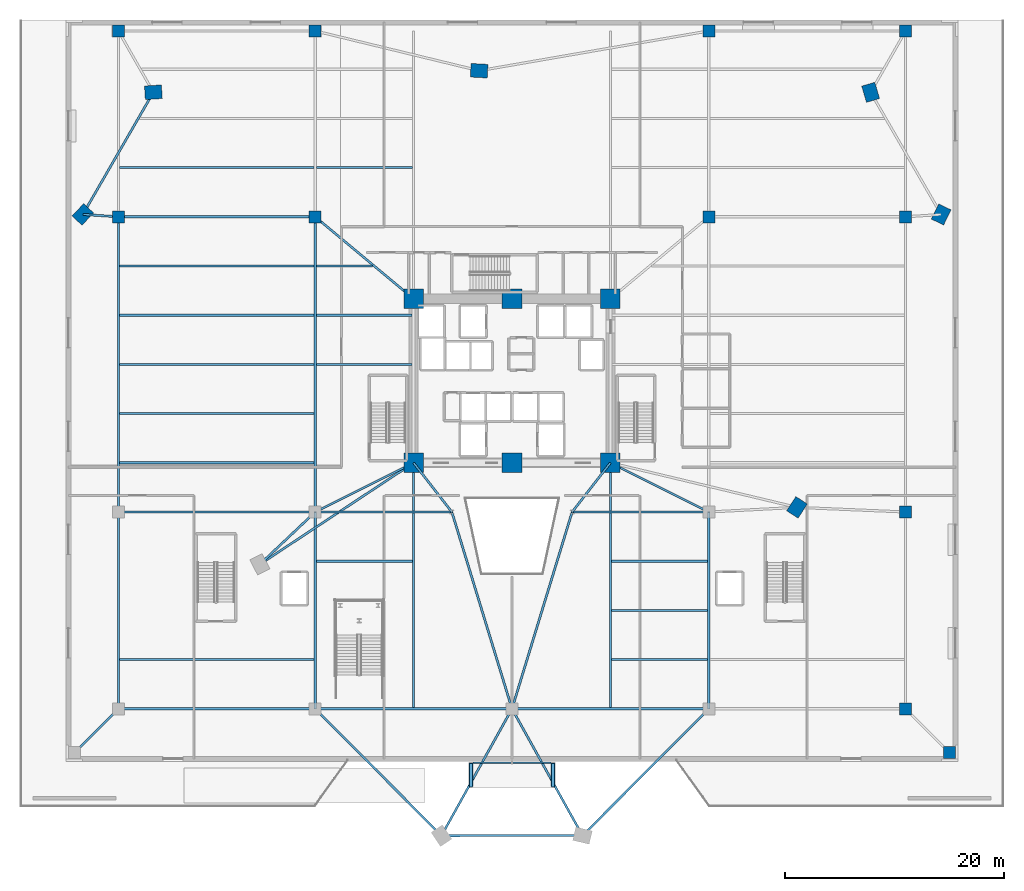
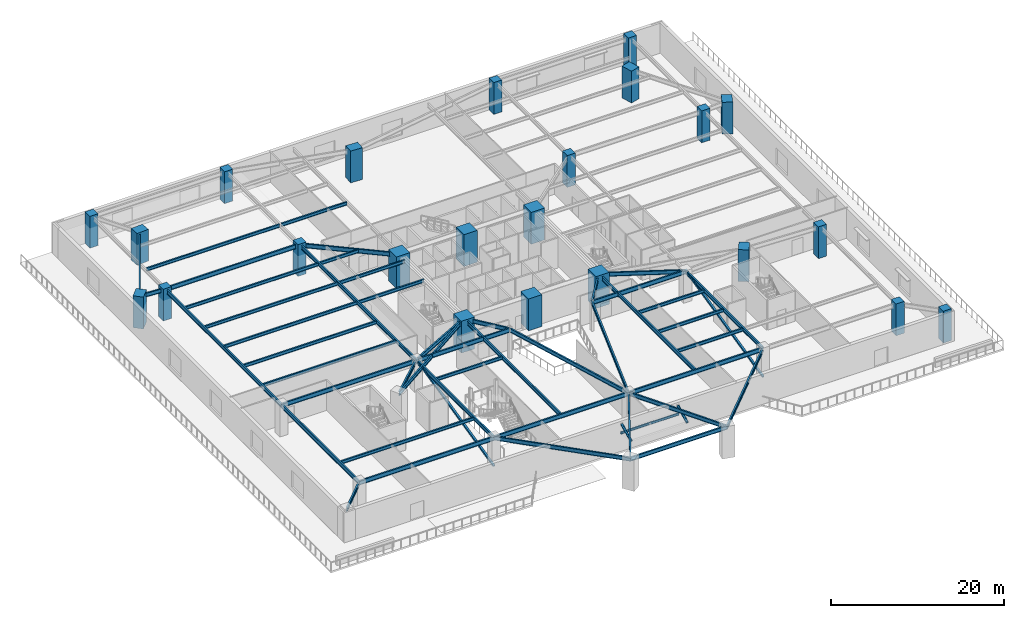
# One storey, part 3 of 19: 47 beams, 23 columns, 4 members.
"""IFC4 building model written with IfcOpenShell, lengths in metres."""

from ifc_helpers import new_model, si_unit, direction, frame, origin, origin_2d, place, context, subcontext, project, spatial, rectangle, hollow_rectangle, hollow_circle, i_section, extrude, source, transform, mapped, material, material_profile, profile_set, type_object, element, save


model = new_model("IFC4")

# Units and contexts
model_context = context("Model", 3, precision=1e-05, world=origin(), true_north=direction((0.0, 1.0)))
body_context = subcontext(model_context, "Body", "Model", "MODEL_VIEW")
ifc_project = project(units=[si_unit("LENGTHUNIT", "METRE"), si_unit("AREAUNIT", "SQUARE_METRE"), si_unit("VOLUMEUNIT", "CUBIC_METRE"), si_unit("PLANEANGLEUNIT", "RADIAN"), si_unit("MASSUNIT", "GRAM", prefix="KILO")], contexts=[model_context])

# Site, building, storey
site_placement = place(None, origin())
site = spatial("IfcSite", under=ifc_project, at=site_placement, CompositionType="ELEMENT")
building_placement = place(site_placement, origin())
building = spatial("IfcBuilding", under=site, at=building_placement, Name="Liaohun Quay Tower", CompositionType="ELEMENT")
storey_placement = place(building_placement, frame((0.0, 0.0, 9.89990234375)))
storey = spatial("IfcBuildingStorey", under=building, at=storey_placement, Name="L03", CompositionType="ELEMENT", Elevation=9.89990234375)

# Columns
ifc_material_1 = material(Name="Concrete C60", Category="concrete")
ifc_material_profile_1 = material_profile(ifc_material_1, rectangle(XDim=1.800048828125, YDim=1.800048828125, at=origin_2d()), Name="RC1800x1800")
ifc_profile_set_1 = profile_set([ifc_material_profile_1], Name="Concrete C60")
column_type_1 = type_object("IfcColumnType", Name="COL-CC-B", PredefinedType="COLUMN", material=ifc_profile_set_1)
shared_shape_1 = source(origin(), body_context, "Body", "SweptSolid", [
    extrude(rectangle(XDim=1.800048828125, YDim=1.800048828125, at=origin_2d()), origin(), (0.0, 0.0, 1.0), 4.5),
])
for number, where, z_axis, x_axis, name in (
    (1, (51.0, 46.5, 0.0), (0.0, 0.0, 1.0), (1.0, 0.0, 0.0), "L03 Core Column CC1"),
    (2, (60.0, 46.5, 0.0), (0.0, 0.0, 1.0), (1.0, 0.0, 0.0), "L03 Core Column CC2"),
    (3, (69.0, 46.5, 0.0), (0.0, 0.0, 1.0), (1.0, 0.0, 0.0), "L03 Core Column CC3"),
    (4, (69.0, 61.5, 0.0), (0.0, 0.0, 1.0), (1.0, 0.0, 0.0), "L03 Core Column CC4"),
    (5, (60.0, 61.5, 0.0), (0.0, 0.0, 1.0), (1.0, 0.0, 0.0), "L03 Core Column CC5"),
    (6, (51.0, 61.5, 0.0), (0.0, 0.0, 1.0), (1.0, 0.0, 0.0), "L03 Core Column CC6"),
):
    element("IfcColumn", number, at=place(storey_placement, frame(where, z_axis=z_axis, x_axis=x_axis)), inside=storey, type_object=column_type_1, Name=name, PredefinedType="COLUMN", context=body_context, shape_type="MappedRepresentation", body=[
        mapped(shared_shape_1, transform((0.0, 0.0, 0.0), x_axis=(1.0, 0.0, 0.0), y_axis=(0.0, 1.0, 0.0), z_axis=(0.0, 0.0, 1.0), scale=1.0)),
    ])
ifc_material_profile_2 = material_profile(ifc_material_1, rectangle(XDim=1.550048828125, YDim=1.25, at=origin_2d()), Name="RC1550x1250")
ifc_profile_set_2 = profile_set([ifc_material_profile_2], Name="Concrete C60")
column_type_2 = type_object("IfcColumnType", Name="COL-PIER-Z1", PredefinedType="COLUMN", material=ifc_profile_set_2)
shared_shape_2 = source(origin(), body_context, "Body", "SweptSolid", [
    extrude(rectangle(XDim=1.550048828125, YDim=1.25, at=origin_2d()), origin(), (0.0, 0.0, 1.0), 4.5),
])
for number, where, z_axis, x_axis, name in (
    (7, (20.748046875, 69.217041015625, 0.0), (0.0, 0.0, 1.0), (0.68936671806, 0.724412539946, 0.0), "L03 Tower Mega-Pier PC03"),
    (8, (27.198974609375, 80.39111328125, 0.0), (0.0, 0.0, 1.0), (0.997824541457, 0.065925597951, 0.0), "L03 Tower Mega-Pier PC05"),
    (9, (92.802978515625, 80.384033203125, 0.0), (0.0, 0.0, 1.0), (-0.282676303383, 0.959215360337, 0.0), "L03 Tower Mega-Pier PC07"),
    (10, (99.256103515625, 69.2119140625, 0.0), (0.0, 0.0, 1.0), (0.441819028143, 0.897104200397, 0.0), "L03 Tower Mega-Pier PC09"),
    (11, (56.9951171875, 82.360107421875, 0.0), (0.0, 0.0, 1.0), (-0.998479491627, 0.055124448298, 0.0), "L03 Tower Mega-Pier PC06"),
    (12, (86.06396484375, 42.423095703125, 0.0), (0.0, 0.0, 1.0), (0.546978918409, 0.837146380758, 0.0), "L03 Tower Mega-Pier PC10"),
):
    element("IfcColumn", number, at=place(storey_placement, frame(where, z_axis=z_axis, x_axis=x_axis)), inside=storey, type_object=column_type_2, Name=name, PredefinedType="COLUMN", context=body_context, shape_type="MappedRepresentation", body=[
        mapped(shared_shape_2, transform((0.0, 0.0, 0.0), x_axis=(1.0, 0.0, 0.0), y_axis=(0.0, 1.0, 0.0), z_axis=(0.0, 0.0, 1.0), scale=1.0)),
    ])
ifc_material_2 = material(Name="Concrete C55", Category="concrete")
ifc_material_profile_3 = material_profile(ifc_material_2, rectangle(XDim=1.10009765625, YDim=1.10009765625, at=origin_2d()), Name="RC1100x1100")
ifc_profile_set_3 = profile_set([ifc_material_profile_3], Name="Concrete C55")
column_type_3 = type_object("IfcColumnType", Name="COL-POD-P", PredefinedType="COLUMN", material=ifc_profile_set_3)
shared_shape_3 = source(origin(), body_context, "Body", "SweptSolid", [
    extrude(rectangle(XDim=1.10009765625, YDim=1.10009765625, at=origin_2d()), origin(), (0.0, 0.0, 1.0), 4.5),
])
for number, where, z_axis, x_axis, name in (
    (13, (96.0, 24.0, 0.0), (0.0, 0.0, 1.0), (1.0, 0.0, 0.0), "L03 Podium Column PG05"),
    (14, (96.0, 42.0, 0.0), (0.0, 0.0, 1.0), (1.0, 0.0, 0.0), "L03 Podium Column PG09"),
    (15, (24.0, 69.0, 0.0), (0.0, 0.0, 1.0), (1.0, 0.0, 0.0), "L03 Podium Column PG10"),
    (16, (42.0, 69.0, 0.0), (0.0, 0.0, 1.0), (1.0, 0.0, 0.0), "L03 Podium Column PG11"),
    (17, (78.0, 69.0, 0.0), (0.0, 0.0, 1.0), (1.0, 0.0, 0.0), "L03 Podium Column PG12"),
    (18, (96.0, 69.0, 0.0), (0.0, 0.0, 1.0), (1.0, 0.0, 0.0), "L03 Podium Column PG13"),
    (19, (24.0, 86.0, 0.0), (0.0, 0.0, 1.0), (1.0, 0.0, 0.0), "L03 Podium Column PG14"),
    (20, (42.0, 86.0, 0.0), (0.0, 0.0, 1.0), (1.0, 0.0, 0.0), "L03 Podium Column PG15"),
    (21, (78.0, 86.0, 0.0), (0.0, 0.0, 1.0), (1.0, 0.0, 0.0), "L03 Podium Column PG17"),
    (22, (96.0, 86.0, 0.0), (0.0, 0.0, 1.0), (1.0, 0.0, 0.0), "L03 Podium Column PG18"),
    (23, (100.0, 20.0, 0.0), (0.0, 0.0, 1.0), (1.0, 0.0, 0.0), "L03 Podium Column PT06"),
):
    element("IfcColumn", number, at=place(storey_placement, frame(where, z_axis=z_axis, x_axis=x_axis)), inside=storey, type_object=column_type_3, Name=name, PredefinedType="COLUMN", context=body_context, shape_type="MappedRepresentation", body=[
        mapped(shared_shape_3, transform((0.0, 0.0, 0.0), x_axis=(1.0, 0.0, 0.0), y_axis=(0.0, 1.0, 0.0), z_axis=(0.0, 0.0, 1.0), scale=1.0)),
    ])

# Beams
ifc_material_3 = material(Name="Steel Q355D", Category="steel")
ifc_material_profile_4 = material_profile(ifc_material_3, i_section(OverallWidth=0.199951171875, OverallDepth=0.449951171875, WebThickness=0.009033203125, FlangeThickness=0.013916015625, at=origin_2d()), Name="HN450x200x9x14")
ifc_profile_set_4 = profile_set([ifc_material_profile_4], Name="Steel Q355D")
beam_type_1 = type_object("IfcBeamType", Name="BM-SEC-J1", PredefinedType="JOIST", material=ifc_profile_set_4)
shared_shape_4 = source(origin(), body_context, "Body", "SweptSolid", [
    extrude(i_section(OverallWidth=0.199951171875, OverallDepth=0.449951171875, WebThickness=0.009033203125, FlangeThickness=0.013916015625, at=origin_2d()), origin(), (0.0, 0.0, 1.0), 8.7998046875),
])
for number, where, z_axis, x_axis, name in (
    (24, (42.10009765625, 37.5, 4.025146484375), (1.0, 0.0, 0.0), (0.0, 1.0, 0.0), "L03 Composite Floor Joist SJ-14"),
    (25, (42.10009765625, 73.5, 4.025146484375), (1.0, 0.0, 0.0), (0.0, 1.0, 0.0), "L03 Composite Floor Joist SJ-20"),
    (26, (69.10009765625, 28.5, 4.025146484375), (1.0, 0.0, 0.0), (0.0, 1.0, 0.0), "L03 Composite Floor Joist SJ-23"),
    (27, (69.10009765625, 33.0, 4.025146484375), (1.0, 0.0, 0.0), (0.0, 1.0, 0.0), "L03 Composite Floor Joist SJ-24"),
    (28, (69.10009765625, 37.5, 4.025146484375), (1.0, 0.0, 0.0), (0.0, 1.0, 0.0), "L03 Composite Floor Joist SJ-25"),
):
    element("IfcBeam", number, at=place(storey_placement, frame(where, z_axis=z_axis, x_axis=x_axis)), inside=storey, type_object=beam_type_1, Name=name, PredefinedType="JOIST", context=body_context, shape_type="MappedRepresentation", body=[
        mapped(shared_shape_4, transform((0.0, 0.0, 0.0), x_axis=(1.0, 0.0, 0.0), y_axis=(0.0, 1.0, 0.0), z_axis=(0.0, 0.0, 1.0), scale=1.0)),
    ])
shared_shape_5 = source(origin(), body_context, "Body", "SweptSolid", [
    extrude(i_section(OverallWidth=0.199951171875, OverallDepth=0.449951171875, WebThickness=0.009033203125, FlangeThickness=0.013916015625, at=origin_2d()), origin(), (0.0, 0.0, 1.0), 17.7998046875),
])
for number, where, z_axis, x_axis, name in (
    (29, (24.10009765625, 28.5, 4.025146484375), (1.0, 0.0, 0.0), (0.0, 1.0, 0.0), "L03 Composite Floor Joist SJ-01"),
    (30, (24.10009765625, 46.5, 4.025146484375), (1.0, 0.0, 0.0), (0.0, 1.0, 0.0), "L03 Composite Floor Joist SJ-04"),
    (31, (24.10009765625, 51.0, 4.025146484375), (1.0, 0.0, 0.0), (0.0, 1.0, 0.0), "L03 Composite Floor Joist SJ-05"),
    (32, (24.10009765625, 55.5, 4.025146484375), (1.0, 0.0, 0.0), (0.0, 1.0, 0.0), "L03 Composite Floor Joist SJ-06"),
    (33, (24.10009765625, 60.0, 4.025146484375), (1.0, 0.0, 0.0), (0.0, 1.0, 0.0), "L03 Composite Floor Joist SJ-07"),
    (34, (24.10009765625, 64.5, 4.025146484375), (1.0, 0.0, 0.0), (0.0, 1.0, 0.0), "L03 Composite Floor Joist SJ-08"),
    (35, (24.10009765625, 73.5, 4.025146484375), (1.0, 0.0, 0.0), (0.0, 1.0, 0.0), "L03 Composite Floor Joist SJ-09"),
):
    element("IfcBeam", number, at=place(storey_placement, frame(where, z_axis=z_axis, x_axis=x_axis)), inside=storey, type_object=beam_type_1, Name=name, PredefinedType="JOIST", context=body_context, shape_type="MappedRepresentation", body=[
        mapped(shared_shape_5, transform((0.0, 0.0, 0.0), x_axis=(1.0, 0.0, 0.0), y_axis=(0.0, 1.0, 0.0), z_axis=(0.0, 0.0, 1.0), scale=1.0)),
    ])
shared_shape_6 = source(origin(), body_context, "Body", "SweptSolid", [
    extrude(i_section(OverallWidth=0.199951171875, OverallDepth=0.449951171875, WebThickness=0.009033203125, FlangeThickness=0.013916015625, at=origin_2d()), origin(), (0.0, 0.0, 1.0), 8.75),
])
for number, where, z_axis, x_axis, name in (
    (36, (42.10009765625, 55.5, 4.025146484375), (1.0, 0.0, 0.0), (0.0, 1.0, 0.0), "L03 Composite Floor Joist SJ-17"),
    (37, (42.10009765625, 60.0, 4.025146484375), (1.0, 0.0, 0.0), (0.0, 1.0, 0.0), "L03 Composite Floor Joist SJ-18"),
):
    element("IfcBeam", number, at=place(storey_placement, frame(where, z_axis=z_axis, x_axis=x_axis)), inside=storey, type_object=beam_type_1, Name=name, PredefinedType="JOIST", context=body_context, shape_type="MappedRepresentation", body=[
        mapped(shared_shape_6, transform((0.0, 0.0, 0.0), x_axis=(1.0, 0.0, 0.0), y_axis=(0.0, 1.0, 0.0), z_axis=(0.0, 0.0, 1.0), scale=1.0)),
    ])
ifc_material_profile_5 = material_profile(ifc_material_3, i_section(OverallWidth=0.199951171875, OverallDepth=0.60009765625, WebThickness=0.010986328125, FlangeThickness=0.01708984375, at=origin_2d()), Name="HN600x200x11x17")
ifc_profile_set_5 = profile_set([ifc_material_profile_5], Name="Steel Q355D")
beam_type_2 = type_object("IfcBeamType", Name="BM-POD-G1", PredefinedType="BEAM", material=ifc_profile_set_5)
shared_shape_7 = source(origin(), body_context, "Body", "SweptSolid", [
    extrude(i_section(OverallWidth=0.199951171875, OverallDepth=0.60009765625, WebThickness=0.010986328125, FlangeThickness=0.01708984375, at=origin_2d()), origin(), (0.0, 0.0, 1.0), 18.0),
])
for number, where, z_axis, x_axis, name in (
    (38, (24.0, 24.0, 3.9501953125), (1.0, 0.0, 0.0), (0.0, 1.0, 0.0), "L03 Primary Grid Girder PG01-PG02"),
    (39, (42.0, 24.0, 3.9501953125), (1.0, 0.0, 0.0), (0.0, 1.0, 0.0), "L03 Primary Grid Girder PG02-PG03"),
    (40, (60.0, 24.0, 3.9501953125), (1.0, 0.0, 0.0), (0.0, 1.0, 0.0), "L03 Primary Grid Girder PG03-PG04"),
    (41, (24.0, 42.0, 3.9501953125), (1.0, 0.0, 0.0), (0.0, 1.0, 0.0), "L03 Primary Grid Girder PG06-PG07"),
    (42, (24.0, 69.0, 3.9501953125), (1.0, 0.0, 0.0), (0.0, 1.0, 0.0), "L03 Primary Grid Girder PG10-PG11"),
    (43, (24.0, 24.0, 3.9501953125), (0.0, 1.0, 0.0), (-1.0, 0.0, 0.0), "L03 Primary Grid Girder PG01-PG06"),
):
    element("IfcBeam", number, at=place(storey_placement, frame(where, z_axis=z_axis, x_axis=x_axis)), inside=storey, type_object=beam_type_2, Name=name, PredefinedType="BEAM", context=body_context, shape_type="MappedRepresentation", body=[
        mapped(shared_shape_7, transform((0.0, 0.0, 0.0), x_axis=(1.0, 0.0, 0.0), y_axis=(0.0, 1.0, 0.0), z_axis=(0.0, 0.0, 1.0), scale=1.0)),
    ])
shared_shape_8 = source(origin(), body_context, "Body", "SweptSolid", [
    extrude(i_section(OverallWidth=0.199951171875, OverallDepth=0.60009765625, WebThickness=0.010986328125, FlangeThickness=0.01708984375, at=origin_2d()), origin(), (0.0, 0.0, 1.0), 12.5),
])
for number, where, z_axis, x_axis, name in (
    (44, (42.0, 42.0, 3.9501953125), (1.0, 0.0, 0.0), (0.0, 1.0, 0.0), "L03 Primary Grid Girder PG07-AT1"),
    (45, (65.5, 42.0, 3.9501953125), (1.0, 0.0, 0.0), (0.0, 1.0, 0.0), "L03 Primary Grid Girder AT2-PG08"),
):
    element("IfcBeam", number, at=place(storey_placement, frame(where, z_axis=z_axis, x_axis=x_axis)), inside=storey, type_object=beam_type_2, Name=name, PredefinedType="BEAM", context=body_context, shape_type="MappedRepresentation", body=[
        mapped(shared_shape_8, transform((0.0, 0.0, 0.0), x_axis=(1.0, 0.0, 0.0), y_axis=(0.0, 1.0, 0.0), z_axis=(0.0, 0.0, 1.0), scale=1.0)),
    ])
shared_shape_9 = source(origin(), body_context, "Body", "SweptSolid", [
    extrude(i_section(OverallWidth=0.199951171875, OverallDepth=0.60009765625, WebThickness=0.010986328125, FlangeThickness=0.01708984375, at=origin_2d()), origin(), (0.0, 0.0, 1.0), 11.71533203125),
])
beam_1_placement = place(storey_placement, frame((42.0, 69.0, 3.9501953125), z_axis=(0.768221279597, -0.640184399664, 0.0), x_axis=(0.640184399664, 0.768221279597, 0.0)))
element("IfcBeam", 46, at=beam_1_placement, inside=storey, type_object=beam_type_2, Name="L03 Primary Grid Girder PG11-CC6", PredefinedType="BEAM", context=body_context, shape_type="MappedRepresentation", body=[
    mapped(shared_shape_9, transform((0.0, 0.0, 0.0), x_axis=(1.0, 0.0, 0.0), y_axis=(0.0, 1.0, 0.0), z_axis=(0.0, 0.0, 1.0), scale=1.0)),
])
ifc_material_profile_6 = material_profile(ifc_material_3, i_section(OverallWidth=0.199951171875, OverallDepth=0.550048828125, WebThickness=0.010009765625, FlangeThickness=0.01611328125, at=origin_2d()), Name="HN550x200x10x16")
ifc_profile_set_6 = profile_set([ifc_material_profile_6], Name="Steel Q355D")
beam_type_3 = type_object("IfcBeamType", Name="BM-POD-G2", PredefinedType="BEAM", material=ifc_profile_set_6)
shared_shape_10 = source(origin(), body_context, "Body", "SweptSolid", [
    extrude(i_section(OverallWidth=0.199951171875, OverallDepth=0.550048828125, WebThickness=0.010009765625, FlangeThickness=0.01611328125, at=origin_2d()), origin(), (0.0, 0.0, 1.0), 27.0),
])
for number, where, z_axis, x_axis, name in (
    (47, (24.0, 42.0, 3.97509765625), (0.0, 1.0, 0.0), (-1.0, 0.0, 0.0), "L03 Primary Grid Girder PG06-PG10"),
    (48, (42.0, 42.0, 3.97509765625), (0.0, 1.0, 0.0), (-1.0, 0.0, 0.0), "L03 Primary Grid Girder PG07-PG11"),
):
    element("IfcBeam", number, at=place(storey_placement, frame(where, z_axis=z_axis, x_axis=x_axis)), inside=storey, type_object=beam_type_3, Name=name, PredefinedType="BEAM", context=body_context, shape_type="MappedRepresentation", body=[
        mapped(shared_shape_10, transform((0.0, 0.0, 0.0), x_axis=(1.0, 0.0, 0.0), y_axis=(0.0, 1.0, 0.0), z_axis=(0.0, 0.0, 1.0), scale=1.0)),
    ])
shared_shape_11 = source(origin(), body_context, "Body", "SweptSolid", [
    extrude(i_section(OverallWidth=0.199951171875, OverallDepth=0.550048828125, WebThickness=0.010009765625, FlangeThickness=0.01611328125, at=origin_2d()), origin(), (0.0, 0.0, 1.0), 18.0),
])
for number, where, z_axis, x_axis, name in (
    (49, (42.0, 24.0, 3.97509765625), (0.0, 1.0, 0.0), (-1.0, 0.0, 0.0), "L03 Primary Grid Girder PG02-PG07"),
    (50, (78.0, 24.0, 3.97509765625), (0.0, 1.0, 0.0), (-1.0, 0.0, 0.0), "L03 Primary Grid Girder PG04-PG08"),
):
    element("IfcBeam", number, at=place(storey_placement, frame(where, z_axis=z_axis, x_axis=x_axis)), inside=storey, type_object=beam_type_3, Name=name, PredefinedType="BEAM", context=body_context, shape_type="MappedRepresentation", body=[
        mapped(shared_shape_11, transform((0.0, 0.0, 0.0), x_axis=(1.0, 0.0, 0.0), y_axis=(0.0, 1.0, 0.0), z_axis=(0.0, 0.0, 1.0), scale=1.0)),
    ])
shared_shape_12 = source(origin(), body_context, "Body", "SweptSolid", [
    extrude(i_section(OverallWidth=0.199951171875, OverallDepth=0.550048828125, WebThickness=0.010009765625, FlangeThickness=0.01611328125, at=origin_2d()), origin(), (0.0, 0.0, 1.0), 10.062255859375),
])
for number, where, z_axis, x_axis, name in (
    (51, (42.0, 42.0, 3.97509765625), (0.894427191, 0.4472135955, 0.0), (-0.4472135955, 0.894427191, 0.0), "L03 Primary Grid Girder PG07-CC1"),
    (52, (78.0, 42.0, 3.97509765625), (-0.894427191, 0.4472135955, 0.0), (-0.4472135955, -0.894427191, 0.0), "L03 Primary Grid Girder PG08-CC3"),
):
    element("IfcBeam", number, at=place(storey_placement, frame(where, z_axis=z_axis, x_axis=x_axis)), inside=storey, type_object=beam_type_3, Name=name, PredefinedType="BEAM", context=body_context, shape_type="MappedRepresentation", body=[
        mapped(shared_shape_12, transform((0.0, 0.0, 0.0), x_axis=(1.0, 0.0, 0.0), y_axis=(0.0, 1.0, 0.0), z_axis=(0.0, 0.0, 1.0), scale=1.0)),
    ])
shared_shape_13 = source(origin(), body_context, "Body", "SweptSolid", [
    extrude(i_section(OverallWidth=0.199951171875, OverallDepth=0.550048828125, WebThickness=0.010009765625, FlangeThickness=0.01611328125, at=origin_2d()), origin(), (0.0, 0.0, 1.0), 18.821533203125),
])
for number, where, z_axis, x_axis, name in (
    (53, (60.0, 24.0, 3.97509765625), (-0.292218535599, 0.956351571051, 0.0), (-0.956351571051, -0.292218535599, 0.0), "L03 Primary Grid Girder PG03-AT1"),
    (54, (60.0, 24.0, 3.97509765625), (0.292218535599, 0.956351571051, 0.0), (-0.956351571051, 0.292218535599, 0.0), "L03 Primary Grid Girder PG03-AT2"),
):
    element("IfcBeam", number, at=place(storey_placement, frame(where, z_axis=z_axis, x_axis=x_axis)), inside=storey, type_object=beam_type_3, Name=name, PredefinedType="BEAM", context=body_context, shape_type="MappedRepresentation", body=[
        mapped(shared_shape_13, transform((0.0, 0.0, 0.0), x_axis=(1.0, 0.0, 0.0), y_axis=(0.0, 1.0, 0.0), z_axis=(0.0, 0.0, 1.0), scale=1.0)),
    ])
shared_shape_14 = source(origin(), body_context, "Body", "SweptSolid", [
    extrude(i_section(OverallWidth=0.199951171875, OverallDepth=0.550048828125, WebThickness=0.010009765625, FlangeThickness=0.01611328125, at=origin_2d()), origin(), (0.0, 0.0, 1.0), 5.700927734375),
])
for number, where, z_axis, x_axis, name in (
    (55, (54.5, 42.0, 3.97509765625), (-0.613940613515, 0.789352217376, 0.0), (-0.789352217376, -0.613940613515, 0.0), "L03 Primary Grid Girder AT1-CC1"),
    (56, (65.5, 42.0, 3.97509765625), (0.613940613515, 0.789352217376, 0.0), (-0.789352217376, 0.613940613515, 0.0), "L03 Primary Grid Girder AT2-CC3"),
):
    element("IfcBeam", number, at=place(storey_placement, frame(where, z_axis=z_axis, x_axis=x_axis)), inside=storey, type_object=beam_type_3, Name=name, PredefinedType="BEAM", context=body_context, shape_type="MappedRepresentation", body=[
        mapped(shared_shape_14, transform((0.0, 0.0, 0.0), x_axis=(1.0, 0.0, 0.0), y_axis=(0.0, 1.0, 0.0), z_axis=(0.0, 0.0, 1.0), scale=1.0)),
    ])
shared_shape_15 = source(origin(), body_context, "Body", "SweptSolid", [
    extrude(i_section(OverallWidth=0.199951171875, OverallDepth=0.550048828125, WebThickness=0.010009765625, FlangeThickness=0.01611328125, at=origin_2d()), origin(), (0.0, 0.0, 1.0), 16.368896484375),
])
beam_2_placement = place(storey_placement, frame((53.5458984375, 12.39697265625, 3.97509765625), z_axis=(-0.705359574392, 0.708849681395, 0.0), x_axis=(-0.708849681395, -0.705359574392, 0.0)))
element("IfcBeam", 57, at=beam_2_placement, inside=storey, type_object=beam_type_3, Name="L03 Primary Grid Girder PC01-PG02", PredefinedType="BEAM", context=body_context, shape_type="MappedRepresentation", body=[
    mapped(shared_shape_15, transform((0.0, 0.0, 0.0), x_axis=(1.0, 0.0, 0.0), y_axis=(0.0, 1.0, 0.0), z_axis=(0.0, 0.0, 1.0), scale=1.0)),
])
shared_shape_16 = source(origin(), body_context, "Body", "SweptSolid", [
    extrude(i_section(OverallWidth=0.199951171875, OverallDepth=0.550048828125, WebThickness=0.010009765625, FlangeThickness=0.01611328125, at=origin_2d()), origin(), (0.0, 0.0, 1.0), 13.27734375),
])
beam_3_placement = place(storey_placement, frame((53.5458984375, 12.39697265625, 3.97509765625), z_axis=(0.486101867227, 0.87390215395, 0.0), x_axis=(-0.87390215395, 0.486101867227, 0.0)))
element("IfcBeam", 58, at=beam_3_placement, inside=storey, type_object=beam_type_3, Name="L03 Primary Grid Girder PC01-PG03", PredefinedType="BEAM", context=body_context, shape_type="MappedRepresentation", body=[
    mapped(shared_shape_16, transform((0.0, 0.0, 0.0), x_axis=(1.0, 0.0, 0.0), y_axis=(0.0, 1.0, 0.0), z_axis=(0.0, 0.0, 1.0), scale=1.0)),
])
shared_shape_17 = source(origin(), body_context, "Body", "SweptSolid", [
    extrude(i_section(OverallWidth=0.199951171875, OverallDepth=0.550048828125, WebThickness=0.010009765625, FlangeThickness=0.01611328125, at=origin_2d()), origin(), (0.0, 0.0, 1.0), 13.272705078125),
])
beam_4_placement = place(storey_placement, frame((66.447998046875, 12.39892578125, 3.97509765625), z_axis=(-0.485813156466, 0.874062684826, 0.0), x_axis=(-0.874062684826, -0.485813156466, 0.0)))
element("IfcBeam", 59, at=beam_4_placement, inside=storey, type_object=beam_type_3, Name="L03 Primary Grid Girder PC11-PG03", PredefinedType="BEAM", context=body_context, shape_type="MappedRepresentation", body=[
    mapped(shared_shape_17, transform((0.0, 0.0, 0.0), x_axis=(1.0, 0.0, 0.0), y_axis=(0.0, 1.0, 0.0), z_axis=(0.0, 0.0, 1.0), scale=1.0)),
])
shared_shape_18 = source(origin(), body_context, "Body", "SweptSolid", [
    extrude(i_section(OverallWidth=0.199951171875, OverallDepth=0.550048828125, WebThickness=0.010009765625, FlangeThickness=0.01611328125, at=origin_2d()), origin(), (0.0, 0.0, 1.0), 16.371826171875),
])
beam_5_placement = place(storey_placement, frame((66.447998046875, 12.39892578125, 3.97509765625), z_axis=(0.705606504265, 0.708603881685, 0.0), x_axis=(-0.708603881685, 0.705606504265, 0.0)))
element("IfcBeam", 60, at=beam_5_placement, inside=storey, type_object=beam_type_3, Name="L03 Primary Grid Girder PC11-PG04", PredefinedType="BEAM", context=body_context, shape_type="MappedRepresentation", body=[
    mapped(shared_shape_18, transform((0.0, 0.0, 0.0), x_axis=(1.0, 0.0, 0.0), y_axis=(0.0, 1.0, 0.0), z_axis=(0.0, 0.0, 1.0), scale=1.0)),
])
shared_shape_19 = source(origin(), body_context, "Body", "SweptSolid", [
    extrude(i_section(OverallWidth=0.199951171875, OverallDepth=0.550048828125, WebThickness=0.010009765625, FlangeThickness=0.01611328125, at=origin_2d()), origin(), (0.0, 0.0, 1.0), 12.902099609375),
])
beam_6_placement = place(storey_placement, frame((53.5458984375, 12.39697265625, 3.97509765625), z_axis=(0.999999988542, 0.000151380398, 0.0), x_axis=(-0.000151380398, 0.999999988542, 0.0)))
element("IfcBeam", 61, at=beam_6_placement, inside=storey, type_object=beam_type_3, Name="L03 Primary Grid Girder PC01-PC11", PredefinedType="BEAM", context=body_context, shape_type="MappedRepresentation", body=[
    mapped(shared_shape_19, transform((0.0, 0.0, 0.0), x_axis=(1.0, 0.0, 0.0), y_axis=(0.0, 1.0, 0.0), z_axis=(0.0, 0.0, 1.0), scale=1.0)),
])
shared_shape_20 = source(origin(), body_context, "Body", "SweptSolid", [
    extrude(i_section(OverallWidth=0.199951171875, OverallDepth=0.550048828125, WebThickness=0.010009765625, FlangeThickness=0.01611328125, at=origin_2d()), origin(), (0.0, 0.0, 1.0), 6.962158203125),
])
beam_7_placement = place(storey_placement, frame((36.94091796875, 37.217041015625, 3.97509765625), z_axis=(0.726659067673, 0.686998252813, 0.0), x_axis=(-0.686998252813, 0.726659067673, 0.0)))
element("IfcBeam", 62, at=beam_7_placement, inside=storey, type_object=beam_type_3, Name="L03 Primary Grid Girder PC02-PG07", PredefinedType="BEAM", context=body_context, shape_type="MappedRepresentation", body=[
    mapped(shared_shape_20, transform((0.0, 0.0, 0.0), x_axis=(1.0, 0.0, 0.0), y_axis=(0.0, 1.0, 0.0), z_axis=(0.0, 0.0, 1.0), scale=1.0)),
])
shared_shape_21 = source(origin(), body_context, "Body", "SweptSolid", [
    extrude(i_section(OverallWidth=0.199951171875, OverallDepth=0.550048828125, WebThickness=0.010009765625, FlangeThickness=0.01611328125, at=origin_2d()), origin(), (0.0, 0.0, 1.0), 16.84716796875),
])
beam_8_placement = place(storey_placement, frame((36.94091796875, 37.217041015625, 3.97509765625), z_axis=(0.834501195619, 0.551006129285, 0.0), x_axis=(-0.551006129285, 0.834501195619, 0.0)))
element("IfcBeam", 63, at=beam_8_placement, inside=storey, type_object=beam_type_3, Name="L03 Primary Grid Girder PC02-CC1", PredefinedType="BEAM", context=body_context, shape_type="MappedRepresentation", body=[
    mapped(shared_shape_21, transform((0.0, 0.0, 0.0), x_axis=(1.0, 0.0, 0.0), y_axis=(0.0, 1.0, 0.0), z_axis=(0.0, 0.0, 1.0), scale=1.0)),
])
shared_shape_22 = source(origin(), body_context, "Body", "SweptSolid", [
    extrude(i_section(OverallWidth=0.199951171875, OverallDepth=0.550048828125, WebThickness=0.010009765625, FlangeThickness=0.01611328125, at=origin_2d()), origin(), (0.0, 0.0, 1.0), 3.25927734375),
])
beam_9_placement = place(storey_placement, frame((20.748046875, 69.217041015625, 3.97509765625), z_axis=(0.997780183272, -0.066593587307, 0.0), x_axis=(0.066593587307, 0.997780183272, 0.0)))
element("IfcBeam", 64, at=beam_9_placement, inside=storey, type_object=beam_type_3, Name="L03 Primary Grid Girder PC03-PG10", PredefinedType="BEAM", context=body_context, shape_type="MappedRepresentation", body=[
    mapped(shared_shape_22, transform((0.0, 0.0, 0.0), x_axis=(1.0, 0.0, 0.0), y_axis=(0.0, 1.0, 0.0), z_axis=(0.0, 0.0, 1.0), scale=1.0)),
])
shared_shape_23 = source(origin(), body_context, "Body", "SweptSolid", [
    extrude(i_section(OverallWidth=0.199951171875, OverallDepth=0.550048828125, WebThickness=0.010009765625, FlangeThickness=0.01611328125, at=origin_2d()), origin(), (0.0, 0.0, 1.0), 12.902587890625),
])
beam_10_placement = place(storey_placement, frame((20.748046875, 69.217041015625, 3.97509765625), z_axis=(0.49997524318, 0.866039696669, 0.0), x_axis=(-0.866039696669, 0.49997524318, 0.0)))
element("IfcBeam", 65, at=beam_10_placement, inside=storey, type_object=beam_type_3, Name="L03 Primary Grid Girder PC03-PC05", PredefinedType="BEAM", context=body_context, shape_type="MappedRepresentation", body=[
    mapped(shared_shape_23, transform((0.0, 0.0, 0.0), x_axis=(1.0, 0.0, 0.0), y_axis=(0.0, 1.0, 0.0), z_axis=(0.0, 0.0, 1.0), scale=1.0)),
])
shared_shape_24 = source(origin(), body_context, "Body", "SweptSolid", [
    extrude(i_section(OverallWidth=0.199951171875, OverallDepth=0.550048828125, WebThickness=0.010009765625, FlangeThickness=0.01611328125, at=origin_2d()), origin(), (0.0, 0.0, 1.0), 5.65673828125),
])
beam_11_placement = place(storey_placement, frame((20.0, 20.0, 3.97509765625), z_axis=(0.707106781187, 0.707106781187, 0.0), x_axis=(-0.707106781187, 0.707106781187, 0.0)))
element("IfcBeam", 66, at=beam_11_placement, inside=storey, type_object=beam_type_3, Name="L03 Perimeter Tie Girder PT05-PG01", PredefinedType="BEAM", context=body_context, shape_type="MappedRepresentation", body=[
    mapped(shared_shape_24, transform((0.0, 0.0, 0.0), x_axis=(1.0, 0.0, 0.0), y_axis=(0.0, 1.0, 0.0), z_axis=(0.0, 0.0, 1.0), scale=1.0)),
])
shared_shape_25 = source(origin(), body_context, "Body", "SweptSolid", [
    extrude(i_section(OverallWidth=0.199951171875, OverallDepth=0.550048828125, WebThickness=0.010009765625, FlangeThickness=0.01611328125, at=origin_2d()), origin(), (0.0, 0.0, 1.0), 22.5),
])
for number, where, z_axis, x_axis, name in (
    (67, (51.0, 24.0, 3.97509765625), (0.0, 1.0, 0.0), (-1.0, 0.0, 0.0), "L03 Spine Girder X51-S"),
    (68, (69.0, 24.0, 3.97509765625), (0.0, 1.0, 0.0), (-1.0, 0.0, 0.0), "L03 Spine Girder X69-S"),
):
    element("IfcBeam", number, at=place(storey_placement, frame(where, z_axis=z_axis, x_axis=x_axis)), inside=storey, type_object=beam_type_3, Name=name, PredefinedType="BEAM", context=body_context, shape_type="MappedRepresentation", body=[
        mapped(shared_shape_25, transform((0.0, 0.0, 0.0), x_axis=(1.0, 0.0, 0.0), y_axis=(0.0, 1.0, 0.0), z_axis=(0.0, 0.0, 1.0), scale=1.0)),
    ])
shared_shape_26 = source(origin(), body_context, "Body", "SweptSolid", [
    extrude(i_section(OverallWidth=0.199951171875, OverallDepth=0.449951171875, WebThickness=0.009033203125, FlangeThickness=0.013916015625, at=origin_2d()), origin(), (0.0, 0.0, 1.0), 5.143798828125),
])
beam_12_placement = place(storey_placement, frame((42.10009765625, 64.5, 4.025146484375), z_axis=(1.0, 0.0, 0.0), x_axis=(0.0, 1.0, 0.0)))
element("IfcBeam", 69, at=beam_12_placement, inside=storey, type_object=beam_type_1, Name="L03 Composite Floor Joist SJ-19", PredefinedType="JOIST", context=body_context, shape_type="MappedRepresentation", body=[
    mapped(shared_shape_26, transform((0.0, 0.0, 0.0), x_axis=(1.0, 0.0, 0.0), y_axis=(0.0, 1.0, 0.0), z_axis=(0.0, 0.0, 1.0), scale=1.0)),
])

# Members
ifc_material_profile_7 = material_profile(ifc_material_3, hollow_rectangle(XDim=0.25, YDim=0.25, WallThickness=0.011962890625, at=origin_2d()), Name="SHS250x250x12")
ifc_profile_set_7 = profile_set([ifc_material_profile_7], Name="Steel Q355D")
member_type_1 = type_object("IfcMemberType", Name="MEM-ATR-STR", PredefinedType="STRINGER", material=ifc_profile_set_7)
shared_shape_27 = source(origin(), body_context, "Body", "SweptSolid", [
    extrude(hollow_rectangle(XDim=0.25, YDim=0.25, WallThickness=0.011962890625, at=origin_2d()), origin(), (0.0, 0.0, 1.0), 18.48583984375),
])
for number, where, z_axis, x_axis, name in (
    (70, (42.0, 24.0, 0.02001953125), (0.0, 0.973721837383, 0.227740605521), (-1.0, 0.0, 0.0), "L03 Atrium Gallery Raking Stringer Tie AS-1-1"),
    (71, (78.0, 24.0, 0.02001953125), (0.0, 0.973721837383, 0.227740605521), (-1.0, 0.0, 0.0), "L03 Atrium Gallery Raking Stringer Tie AS-1-2"),
):
    element("IfcMember", number, at=place(storey_placement, frame(where, z_axis=z_axis, x_axis=x_axis)), inside=storey, type_object=member_type_1, Name=name, PredefinedType="STRINGER", context=body_context, shape_type="MappedRepresentation", body=[
        mapped(shared_shape_27, transform((0.0, 0.0, 0.0), x_axis=(1.0, 0.0, 0.0), y_axis=(0.0, 1.0, 0.0), z_axis=(0.0, 0.0, 1.0), scale=1.0)),
    ])

# Beam
ifc_material_profile_8 = material_profile(ifc_material_3, i_section(OverallWidth=0.14990234375, OverallDepth=0.300048828125, WebThickness=0.006591796875, FlangeThickness=0.009033203125, at=origin_2d()), Name="HN300x150x6.5x9")
ifc_profile_set_8 = profile_set([ifc_material_profile_8], Name="Steel Q355D")
beam_type_4 = type_object("IfcBeamType", Name="BM-CAN-P1", PredefinedType="USERDEFINED", material=ifc_profile_set_8)
shared_shape_28 = source(origin(), body_context, "Body", "SweptSolid", [
    extrude(i_section(OverallWidth=0.14990234375, OverallDepth=0.300048828125, WebThickness=0.006591796875, FlangeThickness=0.009033203125, at=origin_2d()), origin(), (0.0, 0.0, 1.0), 7.7998046875),
])
beam_13_placement = place(storey_placement, frame((56.10009765625, 19.080078125, 2.7001953125), z_axis=(1.0, 0.0, 0.0), x_axis=(0.0, 1.0, 0.0)))
element("IfcBeam", 72, at=beam_13_placement, inside=storey, type_object=beam_type_4, Name="L03 Terrace Canopy Ledger Beam", ObjectType="PURLIN", PredefinedType="USERDEFINED", context=body_context, shape_type="MappedRepresentation", body=[
    mapped(shared_shape_28, transform((0.0, 0.0, 0.0), x_axis=(1.0, 0.0, 0.0), y_axis=(0.0, 1.0, 0.0), z_axis=(0.0, 0.0, 1.0), scale=1.0)),
])

# Members
ifc_material_profile_9 = material_profile(ifc_material_3, hollow_circle(Radius=0.16259765625, WallThickness=0.013916015625, at=origin_2d()), Name="CHS325x14")
ifc_profile_set_9 = profile_set([ifc_material_profile_9], Name="Steel Q355D")
member_type_2 = type_object("IfcMemberType", Name="MEM-CAN-STR", PredefinedType="STRUT", material=ifc_profile_set_9)
shared_shape_29 = source(origin(), body_context, "Body", "SweptSolid", [
    extrude(hollow_circle(Radius=0.16259765625, WallThickness=0.013916015625, at=origin_2d()), origin(), (0.0, 0.0, 1.0), 2.42431640625),
])
for number, where, z_axis, x_axis, name in (
    (73, (56.25, 19.080078125, 3.900146484375), (0.0, -0.899327151991, -0.437276427094), (1.0, 0.0, 0.0), "L03 Terrace Canopy Suspension Tie Strut 1"),
    (74, (63.75, 19.080078125, 3.900146484375), (0.0, -0.899327151991, -0.437276427094), (1.0, 0.0, 0.0), "L03 Terrace Canopy Suspension Tie Strut 2"),
):
    element("IfcMember", number, at=place(storey_placement, frame(where, z_axis=z_axis, x_axis=x_axis)), inside=storey, type_object=member_type_2, Name=name, PredefinedType="STRUT", context=body_context, shape_type="MappedRepresentation", body=[
        mapped(shared_shape_29, transform((0.0, 0.0, 0.0), x_axis=(1.0, 0.0, 0.0), y_axis=(0.0, 1.0, 0.0), z_axis=(0.0, 0.0, 1.0), scale=1.0)),
    ])

save(model, "model.ifc")
